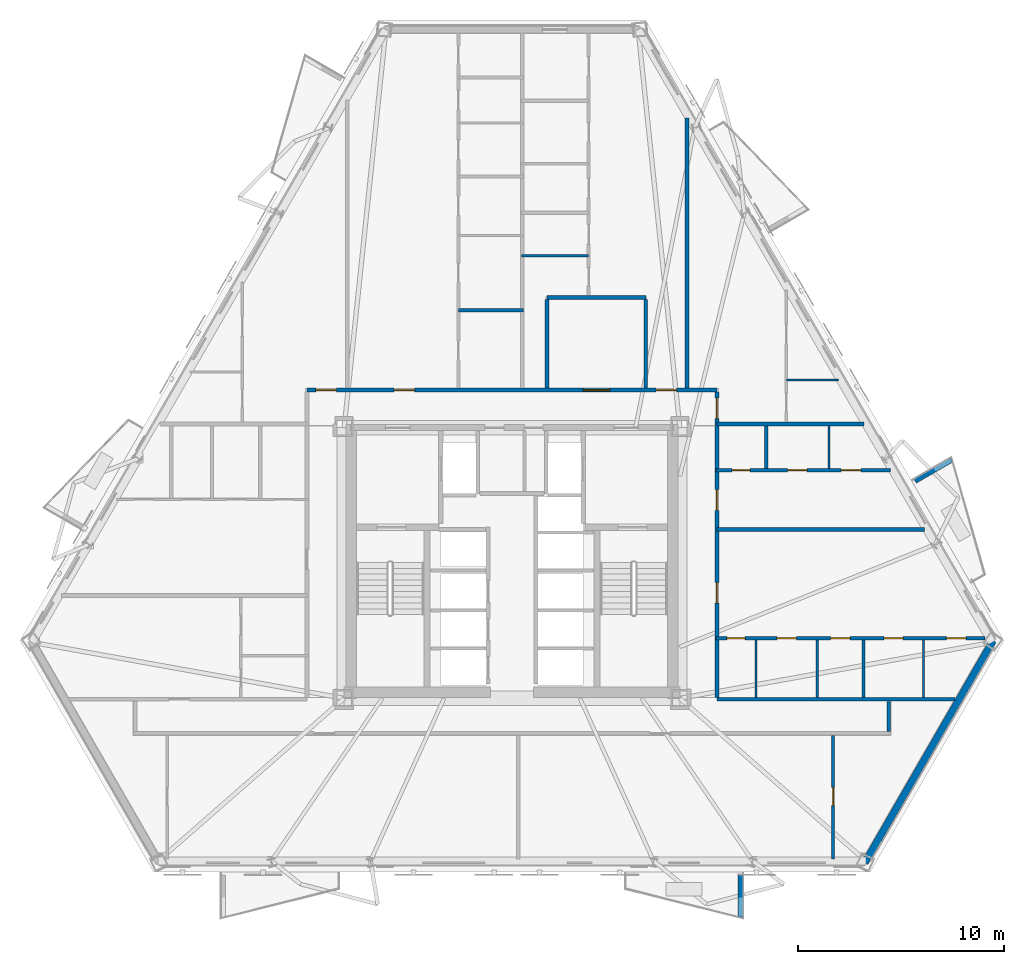
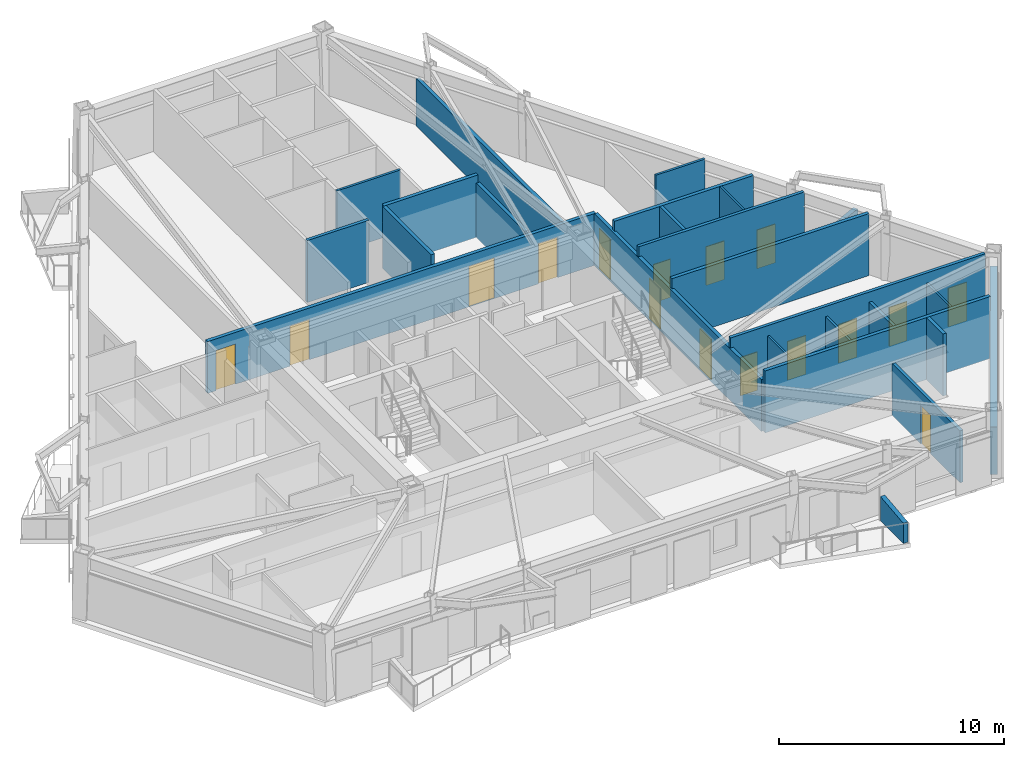
# One storey, part 5 of 11: 25 walls, 16 doors, 16 openings.
"""IFC4 building model written with IfcOpenShell, lengths in metres."""

import ifcopenshell
import ifcopenshell.guid

model = None  # the IFC model being written
_history = None  # IfcOwnerHistory: only IFC2X3 demands one
_inside = {}  # id of a spatial element -> (the spatial element, [elements in it])
_under = {}  # id of a project, library or spatial element -> (it, [spatial elements below it])
_declared = {}  # id of a project -> (the project, [libraries it declares])
_typed = {}  # id of a type object -> (the type object, [elements of that type])
_made_of = {}  # id of a material, layer set ... -> (it, [elements and type objects made of it])


def new_model(schema):
    """Start an empty IFC model of exactly this schema.

    Asked for "IFC4X3", IfcOpenShell would pick the latest addendum, in which some entities
    have other attributes; the version numbers below select the first issue.
    IFC2X3 requires an IfcOwnerHistory on every rooted entity: one is made here for all.
    """
    global model, _history
    if schema == "IFC4X3":
        model = ifcopenshell.file(schema_version=(4, 3, 0, 0))
    else:
        model = ifcopenshell.file(schema=schema)
    _inside.clear()
    _under.clear()
    _declared.clear()
    _typed.clear()
    _made_of.clear()
    _history = None
    if model.schema == "IFC2X3":
        org = make("IfcOrganization", Name="unknown")
        user = make(
            "IfcPersonAndOrganization",
            ThePerson=make("IfcPerson", FamilyName="unknown"),
            TheOrganization=org,
        )
        app = make(
            "IfcApplication",
            ApplicationDeveloper=org,
            Version="unknown",
            ApplicationFullName="unknown",
            ApplicationIdentifier="unknown",
        )
        _history = make(
            "IfcOwnerHistory",
            OwningUser=user,
            OwningApplication=app,
            ChangeAction="ADDED",
            CreationDate=0,
        )
    return model


def make(cls, **values):
    """One entity of the class cls with the attributes given. An attribute that is None is left unset."""
    return model.create_entity(
        cls, **{name: value for name, value in values.items() if value is not None}
    )


def rooted(cls, **values):
    """An entity with a GlobalId (a new one), such as an element, a storey or a relation."""
    return make(cls, GlobalId=ifcopenshell.guid.new(), OwnerHistory=_history, **values)


def si_unit(unit_type, name, prefix=None):
    """IfcSIUnit, for example si_unit("LENGTHUNIT", "METRE", prefix="MILLI")."""
    return make("IfcSIUnit", UnitType=unit_type, Prefix=prefix, Name=name)


def assignment(units):
    """IfcUnitAssignment: the units of a project."""
    return None if units is None else make("IfcUnitAssignment", Units=units)


def point(xyz):
    """IfcCartesianPoint."""
    return None if xyz is None else make("IfcCartesianPoint", Coordinates=xyz)


def direction(xyz):
    """IfcDirection."""
    return None if xyz is None else make("IfcDirection", DirectionRatios=xyz)


def frame(location, z_axis=None, x_axis=None):
    """IfcAxis2Placement3D, a coordinate frame: its origin and axes. An axis left out is left unset."""
    return make(
        "IfcAxis2Placement3D",
        Location=point(location),
        Axis=direction(z_axis),
        RefDirection=direction(x_axis),
    )


def frame_2d(location, x_axis=None):
    """IfcAxis2Placement2D, a coordinate frame in the plane: its origin and x axis."""
    return make(
        "IfcAxis2Placement2D", Location=point(location), RefDirection=direction(x_axis)
    )


def origin():
    """The frame at (0, 0, 0) with its axes left unset."""
    return frame((0.0, 0.0, 0.0))


def place(relative_to, where):
    """IfcLocalPlacement: puts the frame where relative to a parent placement (None: the world)."""
    return make(
        "IfcLocalPlacement", PlacementRelTo=relative_to, RelativePlacement=where
    )


def context(
    kind, dimensions, precision=None, world=None, true_north=None, identifier=None
):
    """IfcGeometricRepresentationContext, for example the 3D "Model" context."""
    return make(
        "IfcGeometricRepresentationContext",
        ContextIdentifier=identifier,
        ContextType=kind,
        CoordinateSpaceDimension=dimensions,
        Precision=precision,
        WorldCoordinateSystem=world,
        TrueNorth=true_north,
    )


def subcontext(parent, identifier, kind, view, scale=None):
    """IfcGeometricRepresentationSubContext, for example "Body" below "Model"."""
    return make(
        "IfcGeometricRepresentationSubContext",
        ContextIdentifier=identifier,
        ContextType=kind,
        ParentContext=parent,
        TargetScale=scale,
        TargetView=view,
    )


def project(units=None, contexts=None):
    """IfcProject with its units and contexts."""
    return rooted(
        "IfcProject",
        Name="project",
        RepresentationContexts=contexts,
        UnitsInContext=assignment(units),
    )


def spatial(cls, under=None, at=None, **own):
    """A site, building, storey or space (cls), placed at a placement, below another one or the project."""
    s = rooted(cls, ObjectPlacement=at, **own)
    if under is not None:
        _under.setdefault(under.id(), (under, []))[1].append(s)
    return s


def polyline(points):
    """IfcPolyline through the points."""
    return make("IfcPolyline", Points=[point(p) for p in points])


def profile(cls, at=None, kind="AREA", **sizes):
    """A parametric profile (cls). Its sizes go by their IFC names, for example OverallWidth=200.0."""
    return make(cls, ProfileType=kind, Position=at, **sizes)


def rectangle(**sizes):
    """IfcRectangleProfileDef."""
    return profile("IfcRectangleProfileDef", **sizes)


def outline(outer, holes=None, kind="AREA"):
    """IfcArbitraryClosedProfileDef: a profile drawn as a closed curve; with holes, ...WithVoids."""
    if holes is None:
        return make("IfcArbitraryClosedProfileDef", ProfileType=kind, OuterCurve=outer)
    return make(
        "IfcArbitraryProfileDefWithVoids",
        ProfileType=kind,
        OuterCurve=outer,
        InnerCurves=holes,
    )


def extrude(swept, where, along, depth):
    """IfcExtrudedAreaSolid: the profile swept, set in the frame where, extruded along a direction by depth."""
    return make(
        "IfcExtrudedAreaSolid",
        SweptArea=swept,
        Position=where,
        ExtrudedDirection=direction(along),
        Depth=depth,
    )


def shape(context_of_items, identifier, shape_type, items):
    """IfcShapeRepresentation: the items that make up one representation, for example the "Body"."""
    return make(
        "IfcShapeRepresentation",
        ContextOfItems=context_of_items,
        RepresentationIdentifier=identifier,
        RepresentationType=shape_type,
        Items=items,
    )


def material(Name=None, Category=None):
    """IfcMaterial."""
    return make("IfcMaterial", Name=Name, Category=Category)


def layer(
    of_material, thickness, ventilated=None, Name=None, Category=None, Priority=None
):
    """IfcMaterialLayer: one layer of a wall or slab, of a material (None: an air gap)."""
    return make(
        "IfcMaterialLayer",
        Material=of_material,
        LayerThickness=thickness,
        IsVentilated=ventilated,
        Name=Name,
        Category=Category,
        Priority=Priority,
    )


def layer_set(layers, Name=None):
    """IfcMaterialLayerSet."""
    return make("IfcMaterialLayerSet", MaterialLayers=layers, LayerSetName=Name)


def made_of(thing, what):
    """Note that an element or type object is made of a material, layer set ...; save() writes the relation."""
    if what is not None:
        _made_of.setdefault(what.id(), (what, []))[1].append(thing)
    return thing


def type_object(cls, material=None, **own):
    """A type object (cls), such as IfcWallType, which elements share."""
    return made_of(rooted(cls, **own), material)


def element(
    cls,
    number,
    at=None,
    inside=None,
    cuts=None,
    type_object=None,
    material=None,
    context=None,
    identifier="Body",
    shape_type=None,
    held_by="IfcProductDefinitionShape",
    body=None,
    shapes=None,
    **own,
):
    """One element of the class cls, such as IfcWall. Its Tag is "e" and its number.

    at: its placement. inside: the storey or other place that contains it. cuts: it is an
    opening in that element (IfcRelVoidsElement). A single representation is given by context,
    identifier, shape_type and body (its items); several are given by shapes. held_by: the class
    of the entity that holds the representations. save() writes the other relations.
    """
    e = rooted(cls, Tag="e%d" % number, ObjectPlacement=at, **own)
    if body is not None:
        shapes = [shape(context, identifier, shape_type, body)]
    if shapes is not None:
        e.Representation = make(held_by, Representations=shapes)
    if inside is not None:
        _inside.setdefault(inside.id(), (inside, []))[1].append(e)
    if cuts is not None:
        rooted(
            "IfcRelVoidsElement", RelatingBuildingElement=cuts, RelatedOpeningElement=e
        )
    if type_object is not None:
        _typed.setdefault(type_object.id(), (type_object, []))[1].append(e)
    return made_of(e, material)


def fill(opening, filler):
    """IfcRelFillsElement: the door or window that sits in an opening."""
    return rooted(
        "IfcRelFillsElement",
        RelatingOpeningElement=opening,
        RelatedBuildingElement=filler,
    )


def aggregate(whole, parts):
    """IfcRelAggregates: a whole, such as a stair, and the parts it consists of."""
    return rooted("IfcRelAggregates", RelatingObject=whole, RelatedObjects=parts)


def save(model, path):
    """Write the relations noted so far, then the file.

    IfcRelAggregates (storeys below a building ...), IfcRelContainedInSpatialStructure (elements
    in a storey), IfcRelDefinesByType, IfcRelAssociatesMaterial and IfcRelDeclares: one each for
    every whole, place, type object, material and project.
    """
    for whole, parts in _under.values():
        aggregate(whole, parts)
    for where, things in _inside.values():
        rooted(
            "IfcRelContainedInSpatialStructure",
            RelatedElements=things,
            RelatingStructure=where,
        )
    for kind, things in _typed.values():
        rooted("IfcRelDefinesByType", RelatedObjects=things, RelatingType=kind)
    for what, things in _made_of.values():
        rooted("IfcRelAssociatesMaterial", RelatedObjects=things, RelatingMaterial=what)
    for by, libraries in _declared.values():
        rooted("IfcRelDeclares", RelatingContext=by, RelatedDefinitions=libraries)
    model.write(path)


model = new_model("IFC4")

# Units and contexts
model_context = context("Model", 3, precision=1e-05, world=origin(), true_north=direction((0.0, 1.0)))
body_context = subcontext(model_context, "Body", "Model", "MODEL_VIEW")
ifc_project = project(units=[si_unit("LENGTHUNIT", "METRE"), si_unit("AREAUNIT", "SQUARE_METRE"), si_unit("VOLUMEUNIT", "CUBIC_METRE"), si_unit("PLANEANGLEUNIT", "RADIAN"), si_unit("MASSUNIT", "GRAM", prefix="KILO")], contexts=[model_context])

# Site, building, storey
site_placement = place(None, origin())
site = spatial("IfcSite", under=ifc_project, at=site_placement, CompositionType="ELEMENT")
building_placement = place(site_placement, origin())
building = spatial("IfcBuilding", under=site, at=building_placement, Name="Oramaril Tower", CompositionType="ELEMENT")
storey_placement = place(building_placement, frame((0.0, 0.0, 89.699951171875)))
storey = spatial("IfcBuildingStorey", under=building, at=storey_placement, Name="L23", CompositionType="ELEMENT", Elevation=89.699951171875)

# Walls
ifc_material_1 = material(Name="Warm Cream Limestone", Category="masonry")
ifc_layer_1 = layer(ifc_material_1, 0.340087890625)
ifc_layer_set_1 = layer_set([ifc_layer_1], Name="WT-EXT34")
wall_type_1 = type_object("IfcWallType", Name="WT-EXT34", PredefinedType="SOLIDWALL", material=ifc_layer_set_1)
wall_1_placement = place(storey_placement, frame((54.63720703125, 3.0205078125, 0.0), z_axis=(0.0, 0.0, 1.0), x_axis=(0.50000434055, 0.866022897752, 0.0)))
element("IfcWall", 1, at=wall_1_placement, inside=storey, type_object=wall_type_1, Name="L23 Tower Limestone Facade Wall 3M", PredefinedType="SOLIDWALL", context=body_context, shape_type="SweptSolid", body=[
    extrude(rectangle(XDim=12.4453125, YDim=0.340087890625, at=frame_2d((6.22265625, 0.0))), origin(), (0.0, 0.0, 1.0), 2.578125),
])
ifc_material_2 = material(Name="Concrete C40/50", Category="concrete")
ifc_layer_2 = layer(ifc_material_2, 0.22998046875)
ifc_layer_set_2 = layer_set([ifc_layer_2], Name="WT-PRP23")
wall_type_2 = type_object("IfcWallType", Name="WT-PRP23", PredefinedType="PARAPET", material=ifc_layer_set_2)
for number, where, z_axis, x_axis, name in (
    (2, (48.597900390625, 2.422607421875, 0.0), (0.0, 0.0, 1.0), (0.0, -1.0, 0.0), "L23 Trapezoidal Balcony Frame Cheek L23-BAL-S2-R"),
    (3, (57.075439453125, 21.548828125, 0.0), (0.0, 0.0, 1.0), (0.866042246008, 0.499970827278, 0.0), "L23 Trapezoidal Balcony Frame Cheek L23-BAL-NE1-R"),
):
    element("IfcWall", number, at=place(storey_placement, frame(where, z_axis=z_axis, x_axis=x_axis)), inside=storey, type_object=wall_type_2, Name=name, PredefinedType="PARAPET", context=body_context, shape_type="SweptSolid", body=[
        extrude(outline(polyline([(0.0, 0.0), (2.0419921875, 0.0), (2.0419921875, 1.10009765625), (0.0, 1.320068359375), (0.0, 0.0)])), frame((0.0, 0.114990234375, 0.0), z_axis=(0.0, -1.0, 0.0), x_axis=(1.0, 0.0, 0.0)), (0.0, 0.0, 1.0), 0.22998046875),
    ])
ifc_material_3 = material(Name="Acoustic Gypsum Board Partition")
ifc_layer_3 = layer(ifc_material_3, 0.10009765625)
ifc_layer_set_3 = layer_set([ifc_layer_3], Name="WT-PT10")
wall_type_3 = type_object("IfcWallType", Name="WT-PT10", PredefinedType="PARTITIONING", material=ifc_layer_set_3)
wall_2_placement = place(storey_placement, frame((49.340087890625, 11.0439453125, 0.0), z_axis=(0.0, 0.0, 1.0), x_axis=(0.0, 1.0, 0.0)))
element("IfcWall", 4, at=wall_2_placement, inside=storey, type_object=wall_type_3, Name="L23 Interior Partition PT-10", PredefinedType="PARTITIONING", context=body_context, shape_type="SweptSolid", body=[
    extrude(rectangle(XDim=2.7919921875, YDim=0.10009765625, at=frame_2d((1.39599609375, 0.0))), origin(), (0.0, 0.0, 1.0), 2.81396484375),
])
wall_3_placement = place(storey_placement, frame((52.889892578125, 22.154052734375, 0.0), z_axis=(0.0, 0.0, 1.0), x_axis=(0.0, 1.0, 0.0)))
element("IfcWall", 5, at=wall_3_placement, inside=storey, type_object=wall_type_3, Name="L23 Interior Partition PT-10", PredefinedType="PARTITIONING", context=body_context, shape_type="SweptSolid", body=[
    extrude(rectangle(XDim=2.072021484375, YDim=0.10009765625, at=frame_2d((1.0361328125, 0.0))), origin(), (0.0, 0.0, 1.0), 3.360107421875),
])
wall_4_placement = place(storey_placement, frame((57.47998046875, 11.0439453125, 0.0), z_axis=(0.0, 0.0, 1.0), x_axis=(0.0, 1.0, 0.0)))
element("IfcWall", 6, at=wall_4_placement, inside=storey, type_object=wall_type_3, Name="L23 Interior Partition PT-10", PredefinedType="PARTITIONING", context=body_context, shape_type="SweptSolid", body=[
    extrude(rectangle(XDim=2.7919921875, YDim=0.10009765625, at=frame_2d((1.39599609375, 0.0))), origin(), (0.0, 0.0, 1.0), 2.81396484375),
])
ifc_material_4 = material(Name="Acoustic Gypsum Board Partition")
ifc_layer_4 = layer(ifc_material_4, 0.1201171875)
ifc_layer_set_4 = layer_set([ifc_layer_4], Name="WT-PT12")
wall_type_4 = type_object("IfcWallType", Name="WT-PT12", PredefinedType="PARTITIONING", material=ifc_layer_set_4)
wall_5_placement = place(storey_placement, frame((50.82275390625, 26.4599609375, 0.0), z_axis=(0.0, 0.0, 1.0), x_axis=(1.0, 0.0, 0.0)))
element("IfcWall", 7, at=wall_5_placement, inside=storey, type_object=wall_type_4, Name="L23 Interior Partition PT-12", PredefinedType="PARTITIONING", context=body_context, shape_type="SweptSolid", body=[
    extrude(rectangle(XDim=2.52587890625, YDim=0.1201171875, at=frame_2d((1.262939453125, 0.0))), origin(), (0.0, 0.0, 1.0), 3.360107421875),
])
wall_6_placement = place(storey_placement, frame((37.949951171875, 32.489990234375, 0.0), z_axis=(0.0, 0.0, 1.0), x_axis=(1.0, 0.0, 0.0)))
element("IfcWall", 8, at=wall_6_placement, inside=storey, type_object=wall_type_4, Name="L23 Interior Partition PT-12", PredefinedType="PARTITIONING", context=body_context, shape_type="SweptSolid", body=[
    extrude(rectangle(XDim=3.27001953125, YDim=0.1201171875, at=frame_2d((1.635009765625, 0.0))), origin(), (0.0, 0.0, 1.0), 3.360107421875),
])
wall_7_placement = place(storey_placement, frame((52.320068359375, 11.0439453125, 0.0), z_axis=(0.0, 0.0, 1.0), x_axis=(0.0, 1.0, 0.0)))
element("IfcWall", 9, at=wall_7_placement, inside=storey, type_object=wall_type_4, Name="L23 Interior Partition PT-12", PredefinedType="PARTITIONING", context=body_context, shape_type="SweptSolid", body=[
    extrude(rectangle(XDim=2.7919921875, YDim=0.1201171875, at=frame_2d((1.39599609375, 0.0))), origin(), (0.0, 0.0, 1.0), 2.81396484375),
])
ifc_material_5 = material(Name="Acoustic Gypsum Board Partition")
ifc_layer_5 = layer(ifc_material_5, 0.139892578125)
ifc_layer_set_5 = layer_set([ifc_layer_5], Name="WT-PT14")
wall_type_5 = type_object("IfcWallType", Name="WT-PT14", PredefinedType="PARTITIONING", material=ifc_layer_set_5)
wall_8_placement = place(storey_placement, frame((54.570068359375, 11.0439453125, 0.0), z_axis=(0.0, 0.0, 1.0), x_axis=(0.0, 1.0, 0.0)))
element("IfcWall", 10, at=wall_8_placement, inside=storey, type_object=wall_type_5, Name="L23 Interior Partition PT-14", PredefinedType="PARTITIONING", context=body_context, shape_type="SweptSolid", body=[
    extrude(rectangle(XDim=2.7919921875, YDim=0.139892578125, at=frame_2d((1.39599609375, 0.0))), origin(), (0.0, 0.0, 1.0), 2.81396484375),
])

# Wall, openings, doors
ifc_material_6 = material(Name="Acoustic Gypsum Board Partition")
ifc_layer_6 = layer(ifc_material_6, 0.159912109375)
ifc_layer_set_6 = layer_set([ifc_layer_6], Name="WT-PT16")
wall_type_6 = type_object("IfcWallType", Name="WT-PT16", PredefinedType="PARTITIONING", material=ifc_layer_set_6)
wall_9_placement = place(storey_placement, frame((47.39990234375, 13.919921875, 0.0), z_axis=(0.0, 0.0, 1.0), x_axis=(1.0, 0.0, 0.0)))
wall_9 = element("IfcWall", 11, at=wall_9_placement, inside=storey, type_object=wall_type_6, Name="L23 Interior Partition PT-16", PredefinedType="PARTITIONING", context=body_context, shape_type="SweptSolid", body=[
    extrude(rectangle(XDim=13.06640625, YDim=0.159912109375, at=frame_2d((6.533203125, 0.0))), origin(), (0.0, 0.0, 1.0), 3.360107421875),
])
opening_1_placement = place(wall_9_placement, frame((0.5400390625, 0.0, 0.0)))
opening_1 = element("IfcOpeningElement", 12, at=opening_1_placement, cuts=wall_9, Name="Opening D-L23-04", PredefinedType="OPENING", context=body_context, shape_type="SweptSolid", body=[
    extrude(rectangle(XDim=0.8798828125, YDim=2.080078125, at=frame_2d((0.43994140625, 1.0400390625))), frame((0.0, 0.080078125, 0.0), z_axis=(0.0, -1.0, 0.0), x_axis=(1.0, 0.0, 0.0)), (0.0, 0.0, 1.0), 0.159912109375),
])
opening_2_placement = place(wall_9_placement, frame((2.95703125, 0.0, 0.0)))
opening_2 = element("IfcOpeningElement", 13, at=opening_2_placement, cuts=wall_9, Name="Opening D-L23-05", PredefinedType="OPENING", context=body_context, shape_type="SweptSolid", body=[
    extrude(rectangle(XDim=0.949951171875, YDim=2.10009765625, at=frame_2d((0.47509765625, 1.050048828125))), frame((0.0, 0.080078125, 0.0), z_axis=(0.0, -1.0, 0.0), x_axis=(1.0, 0.0, 0.0)), (0.0, 0.0, 1.0), 0.159912109375),
])
opening_3_placement = place(wall_9_placement, frame((5.572509765625, 0.0, 0.0)))
opening_3 = element("IfcOpeningElement", 14, at=opening_3_placement, cuts=wall_9, Name="Opening D-L23-06", PredefinedType="OPENING", context=body_context, shape_type="SweptSolid", body=[
    extrude(rectangle(XDim=0.949951171875, YDim=2.10009765625, at=frame_2d((0.47509765625, 1.050048828125))), frame((0.0, 0.080078125, 0.0), z_axis=(0.0, -1.0, 0.0), x_axis=(1.0, 0.0, 0.0)), (0.0, 0.0, 1.0), 0.159912109375),
])
opening_4_placement = place(wall_9_placement, frame((8.16748046875, 0.0, 0.0)))
opening_4 = element("IfcOpeningElement", 15, at=opening_4_placement, cuts=wall_9, Name="Opening D-L23-07", PredefinedType="OPENING", context=body_context, shape_type="SweptSolid", body=[
    extrude(rectangle(XDim=0.919921875, YDim=2.1201171875, at=frame_2d((0.4599609375, 1.06005859375))), frame((0.0, 0.080078125, 0.0), z_axis=(0.0, -1.0, 0.0), x_axis=(1.0, 0.0, 0.0)), (0.0, 0.0, 1.0), 0.159912109375),
])
opening_5_placement = place(wall_9_placement, frame((11.190185546875, 0.0, 0.0)))
opening_5 = element("IfcOpeningElement", 16, at=opening_5_placement, cuts=wall_9, Name="Opening D-L23-08", PredefinedType="OPENING", context=body_context, shape_type="SweptSolid", body=[
    extrude(rectangle(XDim=0.949951171875, YDim=2.10009765625, at=frame_2d((0.47509765625, 1.050048828125))), frame((0.0, 0.080078125, 0.0), z_axis=(0.0, -1.0, 0.0), x_axis=(1.0, 0.0, 0.0)), (0.0, 0.0, 1.0), 0.159912109375),
])
ifc_material_7 = material(Name="FSC Brazilian Freijo Hardwood", Category="wood")
door_type_1 = type_object("IfcDoorType", Name="DT-BATH", OperationType="NOTDEFINED", PredefinedType="DOOR", material=ifc_material_7)
door_1_placement = place(opening_1_placement, origin())
door_1 = element("IfcDoor", 17, at=door_1_placement, inside=storey, type_object=door_type_1, Name="L23 Flat L23-U5 Bathroom Door D-L23-04", OperationType="SINGLE_SWING_RIGHT", OverallHeight=2.080078125, OverallWidth=0.8798828125, PredefinedType="DOOR", context=body_context, shape_type="SweptSolid", body=[
    extrude(rectangle(XDim=0.8798828125, YDim=2.080078125, at=frame_2d((0.43994140625, 1.0400390625))), frame((0.0, 0.02490234375, 0.0), z_axis=(0.0, -1.0, 0.0), x_axis=(1.0, 0.0, 0.0)), (0.0, 0.0, 1.0), 0.050048828125),
])
fill(opening_1, door_1)
ifc_material_8 = material(Name="FSC Brazilian Freijo Hardwood", Category="wood")
door_type_2 = type_object("IfcDoorType", Name="DT-BED", OperationType="NOTDEFINED", PredefinedType="DOOR", material=ifc_material_8)
door_2_placement = place(opening_4_placement, origin())
door_2 = element("IfcDoor", 18, at=door_2_placement, inside=storey, type_object=door_type_2, Name="L23 Flat L23-U5 Bedroom 2 Door D-L23-07", OperationType="SINGLE_SWING_LEFT", OverallHeight=2.1201171875, OverallWidth=0.919921875, PredefinedType="DOOR", context=body_context, shape_type="SweptSolid", body=[
    extrude(rectangle(XDim=0.919921875, YDim=2.1201171875, at=frame_2d((0.4599609375, 1.06005859375))), frame((0.0, 0.02490234375, 0.0), z_axis=(0.0, -1.0, 0.0), x_axis=(1.0, 0.0, 0.0)), (0.0, 0.0, 1.0), 0.050048828125),
])
fill(opening_4, door_2)
ifc_material_9 = material(Name="FSC Brazilian Freijo Hardwood", Category="wood")
door_type_3 = type_object("IfcDoorType", Name="DT-STDY", OperationType="NOTDEFINED", PredefinedType="DOOR", material=ifc_material_9)
door_3_placement = place(opening_2_placement, origin())
door_3 = element("IfcDoor", 19, at=door_3_placement, inside=storey, type_object=door_type_3, Name="L23 Flat L23-U5 Kitchen Door D-L23-05", OperationType="SINGLE_SWING_LEFT", OverallHeight=2.10009765625, OverallWidth=0.949951171875, PredefinedType="DOOR", context=body_context, shape_type="SweptSolid", body=[
    extrude(rectangle(XDim=0.949951171875, YDim=2.10009765625, at=frame_2d((0.47509765625, 1.050048828125))), frame((0.0, 0.02490234375, 0.0), z_axis=(0.0, -1.0, 0.0), x_axis=(1.0, 0.0, 0.0)), (0.0, 0.0, 1.0), 0.050048828125),
])
fill(opening_2, door_3)
door_4_placement = place(opening_3_placement, origin())
door_4 = element("IfcDoor", 20, at=door_4_placement, inside=storey, type_object=door_type_3, Name="L23 Flat L23-U5 Reading Study Door D-L23-06", OperationType="SINGLE_SWING_RIGHT", OverallHeight=2.10009765625, OverallWidth=0.949951171875, PredefinedType="DOOR", context=body_context, shape_type="SweptSolid", body=[
    extrude(rectangle(XDim=0.949951171875, YDim=2.10009765625, at=frame_2d((0.47509765625, 1.050048828125))), frame((0.0, 0.02490234375, 0.0), z_axis=(0.0, -1.0, 0.0), x_axis=(1.0, 0.0, 0.0)), (0.0, 0.0, 1.0), 0.050048828125),
])
fill(opening_3, door_4)
door_5_placement = place(opening_5_placement, origin())
door_5 = element("IfcDoor", 21, at=door_5_placement, inside=storey, type_object=door_type_3, Name="L23 Flat L23-U5 Breakfast Dining Room Door D-L23-08", OperationType="SINGLE_SWING_RIGHT", OverallHeight=2.10009765625, OverallWidth=0.949951171875, PredefinedType="DOOR", context=body_context, shape_type="SweptSolid", body=[
    extrude(rectangle(XDim=0.949951171875, YDim=2.10009765625, at=frame_2d((0.47509765625, 1.050048828125))), frame((0.0, 0.02490234375, 0.0), z_axis=(0.0, -1.0, 0.0), x_axis=(1.0, 0.0, 0.0)), (0.0, 0.0, 1.0), 0.050048828125),
])
fill(opening_5, door_5)

wall_10_placement = place(storey_placement, frame((47.39990234375, 22.070068359375, 0.0), z_axis=(0.0, 0.0, 1.0), x_axis=(1.0, 0.0, 0.0)))
wall_10 = element("IfcWall", 22, at=wall_10_placement, inside=storey, type_object=wall_type_6, Name="L23 Interior Partition PT-16", PredefinedType="PARTITIONING", context=body_context, shape_type="SweptSolid", body=[
    extrude(rectangle(XDim=8.4833984375, YDim=0.159912109375, at=frame_2d((4.24169921875, 0.0))), origin(), (0.0, 0.0, 1.0), 3.360107421875),
])
opening_6_placement = place(wall_10_placement, frame((0.78857421875, 0.0, 0.0)))
opening_6 = element("IfcOpeningElement", 23, at=opening_6_placement, cuts=wall_10, Name="Opening D-L23-13", PredefinedType="OPENING", context=body_context, shape_type="SweptSolid", body=[
    extrude(rectangle(XDim=0.8798828125, YDim=2.080078125, at=frame_2d((0.43994140625, 1.0400390625))), frame((0.0, 0.080078125, 0.0), z_axis=(0.0, -1.0, 0.0), x_axis=(1.0, 0.0, 0.0)), (0.0, 0.0, 1.0), 0.159912109375),
])
opening_7_placement = place(wall_10_placement, frame((3.487060546875, 0.0, 0.0)))
opening_7 = element("IfcOpeningElement", 24, at=opening_7_placement, cuts=wall_10, Name="Opening D-L23-14", PredefinedType="OPENING", context=body_context, shape_type="SweptSolid", body=[
    extrude(rectangle(XDim=0.949951171875, YDim=2.10009765625, at=frame_2d((0.47509765625, 1.050048828125))), frame((0.0, 0.080078125, 0.0), z_axis=(0.0, -1.0, 0.0), x_axis=(1.0, 0.0, 0.0)), (0.0, 0.0, 1.0), 0.159912109375),
])
opening_8_placement = place(wall_10_placement, frame((6.0859375, 0.0, 0.0)))
opening_8 = element("IfcOpeningElement", 25, at=opening_8_placement, cuts=wall_10, Name="Opening D-L23-15", PredefinedType="OPENING", context=body_context, shape_type="SweptSolid", body=[
    extrude(rectangle(XDim=0.949951171875, YDim=2.10009765625, at=frame_2d((0.47509765625, 1.050048828125))), frame((0.0, 0.080078125, 0.0), z_axis=(0.0, -1.0, 0.0), x_axis=(1.0, 0.0, 0.0)), (0.0, 0.0, 1.0), 0.159912109375),
])
door_6_placement = place(opening_6_placement, origin())
door_6 = element("IfcDoor", 26, at=door_6_placement, inside=storey, type_object=door_type_1, Name="L23 Flat L23-U6 Bathroom Door D-L23-13", OperationType="SINGLE_SWING_LEFT", OverallHeight=2.080078125, OverallWidth=0.8798828125, PredefinedType="DOOR", context=body_context, shape_type="SweptSolid", body=[
    extrude(rectangle(XDim=0.8798828125, YDim=2.080078125, at=frame_2d((0.43994140625, 1.0400390625))), frame((0.0, 0.02490234375, 0.0), z_axis=(0.0, -1.0, 0.0), x_axis=(1.0, 0.0, 0.0)), (0.0, 0.0, 1.0), 0.050048828125),
])
fill(opening_6, door_6)
door_7_placement = place(opening_7_placement, origin())
door_7 = element("IfcDoor", 27, at=door_7_placement, inside=storey, type_object=door_type_3, Name="L23 Flat L23-U6 Kitchen Door D-L23-14", OperationType="SINGLE_SWING_RIGHT", OverallHeight=2.10009765625, OverallWidth=0.949951171875, PredefinedType="DOOR", context=body_context, shape_type="SweptSolid", body=[
    extrude(rectangle(XDim=0.949951171875, YDim=2.10009765625, at=frame_2d((0.47509765625, 1.050048828125))), frame((0.0, 0.02490234375, 0.0), z_axis=(0.0, -1.0, 0.0), x_axis=(1.0, 0.0, 0.0)), (0.0, 0.0, 1.0), 0.050048828125),
])
fill(opening_7, door_7)
door_8_placement = place(opening_8_placement, origin())
door_8 = element("IfcDoor", 28, at=door_8_placement, inside=storey, type_object=door_type_3, Name="L23 Flat L23-U6 Breakfast Dining Room Door D-L23-15", OperationType="SINGLE_SWING_LEFT", OverallHeight=2.10009765625, OverallWidth=0.949951171875, PredefinedType="DOOR", context=body_context, shape_type="SweptSolid", body=[
    extrude(rectangle(XDim=0.949951171875, YDim=2.10009765625, at=frame_2d((0.47509765625, 1.050048828125))), frame((0.0, 0.02490234375, 0.0), z_axis=(0.0, -1.0, 0.0), x_axis=(1.0, 0.0, 0.0)), (0.0, 0.0, 1.0), 0.050048828125),
])
fill(opening_8, door_8)

# Walls
wall_11_placement = place(storey_placement, frame((34.89990234375, 29.840087890625, 0.0), z_axis=(0.0, 0.0, 1.0), x_axis=(1.0, 0.0, 0.0)))
element("IfcWall", 29, at=wall_11_placement, inside=storey, type_object=wall_type_6, Name="L23 Interior Partition PT-16", PredefinedType="PARTITIONING", context=body_context, shape_type="SweptSolid", body=[
    extrude(rectangle(XDim=3.150146484375, YDim=0.159912109375, at=frame_2d((1.5751953125, 0.0))), origin(), (0.0, 0.0, 1.0), 3.360107421875),
])
wall_12_placement = place(storey_placement, frame((49.840087890625, 22.154052734375, 0.0), z_axis=(0.0, 0.0, 1.0), x_axis=(0.0, 1.0, 0.0)))
element("IfcWall", 30, at=wall_12_placement, inside=storey, type_object=wall_type_6, Name="L23 Interior Partition PT-16", PredefinedType="PARTITIONING", context=body_context, shape_type="SweptSolid", body=[
    extrude(rectangle(XDim=2.072021484375, YDim=0.159912109375, at=frame_2d((1.0361328125, 0.0))), origin(), (0.0, 0.0, 1.0), 3.360107421875),
])

# Wall, opening, door
wall_13_placement = place(storey_placement, frame((53.090087890625, 3.194580078125, 0.0), z_axis=(0.0, 0.0, 1.0), x_axis=(0.0, 1.0, 0.0)))
wall_13 = element("IfcWall", 31, at=wall_13_placement, inside=storey, type_object=wall_type_6, Name="L23 Interior Partition PT-16", PredefinedType="PARTITIONING", context=body_context, shape_type="SweptSolid", body=[
    extrude(rectangle(XDim=6.011474609375, YDim=0.159912109375, at=frame_2d((3.005859375, 0.0))), origin(), (0.0, 0.0, 1.0), 2.81396484375),
])
opening_9_placement = place(wall_13_placement, frame((2.6005859375, 0.0, 0.0)))
opening_9 = element("IfcOpeningElement", 32, at=opening_9_placement, cuts=wall_13, Name="Opening D-L23-42", PredefinedType="OPENING", context=body_context, shape_type="SweptSolid", body=[
    extrude(rectangle(XDim=0.8798828125, YDim=2.080078125, at=frame_2d((0.43994140625, 1.0400390625))), frame((0.0, 0.080078125, 0.0), z_axis=(0.0, -1.0, 0.0), x_axis=(1.0, 0.0, 0.0)), (0.0, 0.0, 1.0), 0.159912109375),
])
door_9_placement = place(opening_9_placement, origin())
door_9 = element("IfcDoor", 33, at=door_9_placement, inside=storey, type_object=door_type_1, Name="L23 Flat L23-U2 Bathroom Door D-L23-42", OperationType="SINGLE_SWING_RIGHT", OverallHeight=2.080078125, OverallWidth=0.8798828125, PredefinedType="DOOR", context=body_context, shape_type="SweptSolid", body=[
    extrude(rectangle(XDim=0.8798828125, YDim=2.080078125, at=frame_2d((0.43994140625, 1.0400390625))), frame((0.0, 0.02490234375, 0.0), z_axis=(0.0, -1.0, 0.0), x_axis=(1.0, 0.0, 0.0)), (0.0, 0.0, 1.0), 0.050048828125),
])
fill(opening_9, door_9)

# Walls
ifc_material_10 = material(Name="Autoclaved Cellular Concrete Block", Category="concrete")
ifc_layer_7 = layer(ifc_material_10, 0.179931640625)
ifc_layer_set_7 = layer_set([ifc_layer_7], Name="WT-PT18")
wall_type_7 = type_object("IfcWallType", Name="WT-PT18", PredefinedType="PARTITIONING", material=ifc_layer_set_7)
wall_14_placement = place(storey_placement, frame((47.449951171875, 10.949951171875, 0.0), z_axis=(0.0, 0.0, 1.0), x_axis=(1.0, 0.0, 0.0)))
element("IfcWall", 34, at=wall_14_placement, inside=storey, type_object=wall_type_7, Name="L23 Interior Partition PT-18", PredefinedType="PARTITIONING", context=body_context, shape_type="SweptSolid", body=[
    extrude(rectangle(XDim=11.564453125, YDim=0.179931640625, at=frame_2d((5.7822265625, 0.0))), origin(), (0.0, 0.0, 1.0), 3.360107421875),
])
wall_15_placement = place(storey_placement, frame((47.449951171875, 19.199951171875, 0.0), z_axis=(0.0, 0.0, 1.0), x_axis=(1.0, 0.0, 0.0)))
element("IfcWall", 35, at=wall_15_placement, inside=storey, type_object=wall_type_7, Name="L23 Interior Partition PT-18", PredefinedType="PARTITIONING", context=body_context, shape_type="SweptSolid", body=[
    extrude(rectangle(XDim=10.09033203125, YDim=0.179931640625, at=frame_2d((5.045166015625, 0.0))), origin(), (0.0, 0.0, 1.0), 3.360107421875),
])
wall_16_placement = place(storey_placement, frame((47.449951171875, 24.320068359375, 0.0), z_axis=(0.0, 0.0, 1.0), x_axis=(1.0, 0.0, 0.0)))
element("IfcWall", 36, at=wall_16_placement, inside=storey, type_object=wall_type_7, Name="L23 Interior Partition PT-18", PredefinedType="PARTITIONING", context=body_context, shape_type="SweptSolid", body=[
    extrude(rectangle(XDim=7.13427734375, YDim=0.179931640625, at=frame_2d((3.567138671875, 0.0))), origin(), (0.0, 0.0, 1.0), 3.360107421875),
])

# Wall, openings, doors
wall_17_placement = place(storey_placement, frame((27.550048828125, 25.969970703125, 0.0), z_axis=(0.0, 0.0, 1.0), x_axis=(1.0, 0.0, 0.0)))
wall_17 = element("IfcWall", 37, at=wall_17_placement, inside=storey, type_object=wall_type_7, Name="L23 Interior Partition PT-18", PredefinedType="PARTITIONING", context=body_context, shape_type="SweptSolid", body=[
    extrude(rectangle(XDim=19.89990234375, YDim=0.179931640625, at=frame_2d((9.949951171875, 0.0))), origin(), (0.0, 0.0, 1.0), 2.81396484375),
])
opening_10_placement = place(wall_17_placement, frame((0.4248046875, 0.0, 0.0)))
opening_10 = element("IfcOpeningElement", 38, at=opening_10_placement, cuts=wall_17, Name="Opening D-L23-16", PredefinedType="OPENING", context=body_context, shape_type="SweptSolid", body=[
    extrude(rectangle(XDim=1.0, YDim=2.179931640625, at=frame_2d((0.5, 1.08984375))), frame((0.0, 0.08984375, 0.0), z_axis=(0.0, -1.0, 0.0), x_axis=(1.0, 0.0, 0.0)), (0.0, 0.0, 1.0), 0.179931640625),
])
opening_11_placement = place(wall_17_placement, frame((4.222412109375, 0.0, 0.0)))
opening_11 = element("IfcOpeningElement", 39, at=opening_11_placement, cuts=wall_17, Name="Opening D-L23-17", PredefinedType="OPENING", context=body_context, shape_type="SweptSolid", body=[
    extrude(rectangle(XDim=1.0, YDim=2.179931640625, at=frame_2d((0.5, 1.08984375))), frame((0.0, 0.08984375, 0.0), z_axis=(0.0, -1.0, 0.0), x_axis=(1.0, 0.0, 0.0)), (0.0, 0.0, 1.0), 0.179931640625),
])
opening_12_placement = place(wall_17_placement, frame((13.39990234375, 0.0, 0.0)))
opening_12 = element("IfcOpeningElement", 40, at=opening_12_placement, cuts=wall_17, Name="Opening D-L23-18", PredefinedType="OPENING", context=body_context, shape_type="SweptSolid", body=[
    extrude(rectangle(XDim=1.300048828125, YDim=2.199951171875, at=frame_2d((0.64990234375, 1.10009765625))), frame((0.0, 0.08984375, 0.0), z_axis=(0.0, -1.0, 0.0), x_axis=(1.0, 0.0, 0.0)), (0.0, 0.0, 1.0), 0.179931640625),
])
opening_13_placement = place(wall_17_placement, frame((16.949951171875, 0.0, 0.0)))
opening_13 = element("IfcOpeningElement", 41, at=opening_13_placement, cuts=wall_17, Name="Opening D-L23-19", PredefinedType="OPENING", context=body_context, shape_type="SweptSolid", body=[
    extrude(rectangle(XDim=1.0, YDim=2.179931640625, at=frame_2d((0.5, 1.08984375))), frame((0.0, 0.08984375, 0.0), z_axis=(0.0, -1.0, 0.0), x_axis=(1.0, 0.0, 0.0)), (0.0, 0.0, 1.0), 0.179931640625),
])
ifc_material_11 = material(Name="FSC Brazilian Freijo Hardwood", Category="wood")
door_type_4 = type_object("IfcDoorType", Name="DT-APT", OperationType="NOTDEFINED", PredefinedType="DOOR", material=ifc_material_11)
door_10_placement = place(opening_10_placement, origin())
door_10 = element("IfcDoor", 42, at=door_10_placement, inside=storey, type_object=door_type_4, Name="L23 Flat L23-U7 Studio Apartment Door D-L23-16", OperationType="SINGLE_SWING_RIGHT", OverallHeight=2.179931640625, OverallWidth=1.0, PredefinedType="DOOR", context=body_context, shape_type="SweptSolid", body=[
    extrude(rectangle(XDim=1.0, YDim=2.179931640625, at=frame_2d((0.5, 1.08984375))), frame((0.0, 0.02490234375, 0.0), z_axis=(0.0, -1.0, 0.0), x_axis=(1.0, 0.0, 0.0)), (0.0, 0.0, 1.0), 0.050048828125),
])
fill(opening_10, door_10)
door_11_placement = place(opening_11_placement, origin())
door_11 = element("IfcDoor", 43, at=door_11_placement, inside=storey, type_object=door_type_4, Name="L23 Flat L23-U8 Penthouse 2-Bedroom Living and Dining Room Door D-L23-17", OperationType="SINGLE_SWING_LEFT", OverallHeight=2.179931640625, OverallWidth=1.0, PredefinedType="DOOR", context=body_context, shape_type="SweptSolid", body=[
    extrude(rectangle(XDim=1.0, YDim=2.179931640625, at=frame_2d((0.5, 1.08984375))), frame((0.0, 0.02490234375, 0.0), z_axis=(0.0, -1.0, 0.0), x_axis=(1.0, 0.0, 0.0)), (0.0, 0.0, 1.0), 0.050048828125),
])
fill(opening_11, door_11)
door_12_placement = place(opening_13_placement, origin())
door_12 = element("IfcDoor", 44, at=door_12_placement, inside=storey, type_object=door_type_4, Name="L23 Flat L23-U9 Penthouse 2-Bedroom Living and Dining Room Door D-L23-19", OperationType="SINGLE_SWING_LEFT", OverallHeight=2.179931640625, OverallWidth=1.0, PredefinedType="DOOR", context=body_context, shape_type="SweptSolid", body=[
    extrude(rectangle(XDim=1.0, YDim=2.179931640625, at=frame_2d((0.5, 1.08984375))), frame((0.0, 0.02490234375, 0.0), z_axis=(0.0, -1.0, 0.0), x_axis=(1.0, 0.0, 0.0)), (0.0, 0.0, 1.0), 0.050048828125),
])
fill(opening_13, door_12)
ifc_material_12 = material(Name="FSC Brazilian Freijo Hardwood", Category="wood")
door_type_5 = type_object("IfcDoorType", Name="DT-COM", OperationType="NOTDEFINED", PredefinedType="DOOR", material=ifc_material_12)
door_13_placement = place(opening_12_placement, origin())
door_13 = element("IfcDoor", 45, at=door_13_placement, inside=storey, type_object=door_type_5, Name="L23 L23 Residents Floor Meeting Suite Door D-L23-18", OperationType="SINGLE_SWING_RIGHT", OverallHeight=2.199951171875, OverallWidth=1.300048828125, PredefinedType="DOOR", context=body_context, shape_type="SweptSolid", body=[
    extrude(rectangle(XDim=1.300048828125, YDim=2.199951171875, at=frame_2d((0.64990234375, 1.10009765625))), frame((0.0, 0.02490234375, 0.0), z_axis=(0.0, -1.0, 0.0), x_axis=(1.0, 0.0, 0.0)), (0.0, 0.0, 1.0), 0.050048828125),
])
fill(opening_12, door_13)

# Walls
wall_18_placement = place(storey_placement, frame((39.199951171875, 30.469970703125, 0.0), z_axis=(0.0, 0.0, 1.0), x_axis=(1.0, 0.0, 0.0)))
element("IfcWall", 46, at=wall_18_placement, inside=storey, type_object=wall_type_7, Name="L23 Interior Partition PT-18", PredefinedType="PARTITIONING", context=body_context, shape_type="SweptSolid", body=[
    extrude(rectangle(XDim=4.800048828125, YDim=0.179931640625, at=frame_2d((2.39990234375, 0.0))), origin(), (0.0, 0.0, 1.0), 3.360107421875),
])
wall_19_placement = place(storey_placement, frame((39.199951171875, 26.06396484375, 0.0), z_axis=(0.0, 0.0, 1.0), x_axis=(0.0, 1.0, 0.0)))
element("IfcWall", 47, at=wall_19_placement, inside=storey, type_object=wall_type_7, Name="L23 Interior Partition PT-18", PredefinedType="PARTITIONING", context=body_context, shape_type="SweptSolid", body=[
    extrude(rectangle(XDim=4.31201171875, YDim=0.179931640625, at=frame_2d((2.156005859375, 0.0))), origin(), (0.0, 0.0, 1.0), 3.360107421875),
])
wall_20_placement = place(storey_placement, frame((44.0, 26.06396484375, 0.0), z_axis=(0.0, 0.0, 1.0), x_axis=(0.0, 1.0, 0.0)))
element("IfcWall", 48, at=wall_20_placement, inside=storey, type_object=wall_type_7, Name="L23 Interior Partition PT-18", PredefinedType="PARTITIONING", context=body_context, shape_type="SweptSolid", body=[
    extrude(rectangle(XDim=4.31201171875, YDim=0.179931640625, at=frame_2d((2.156005859375, 0.0))), origin(), (0.0, 0.0, 1.0), 2.946044921875),
])
wall_21_placement = place(storey_placement, frame((46.0, 26.06396484375, 0.0), z_axis=(0.0, 0.0, 1.0), x_axis=(0.0, 1.0, 0.0)))
element("IfcWall", 49, at=wall_21_placement, inside=storey, type_object=wall_type_7, Name="L23 Interior Partition PT-18", PredefinedType="PARTITIONING", context=body_context, shape_type="SweptSolid", body=[
    extrude(rectangle(XDim=13.124267578125, YDim=0.179931640625, at=frame_2d((6.56201171875, 0.0))), origin(), (0.0, 0.0, 1.0), 2.578125),
])

# Wall, openings, doors
wall_22_placement = place(storey_placement, frame((47.449951171875, 11.0439453125, 0.0), z_axis=(0.0, 0.0, 1.0), x_axis=(0.0, 1.0, 0.0)))
wall_22 = element("IfcWall", 50, at=wall_22_placement, inside=storey, type_object=wall_type_7, Name="L23 Interior Partition PT-18", PredefinedType="PARTITIONING", context=body_context, shape_type="SweptSolid", body=[
    extrude(rectangle(XDim=14.83203125, YDim=0.179931640625, at=frame_2d((7.416015625, 0.0))), origin(), (0.0, 0.0, 1.0), 2.81396484375),
])
opening_14_placement = place(wall_22_placement, frame((4.578369140625, 0.0, 0.0)))
opening_14 = element("IfcOpeningElement", 51, at=opening_14_placement, cuts=wall_22, Name="Opening D-L23-37", PredefinedType="OPENING", context=body_context, shape_type="SweptSolid", body=[
    extrude(rectangle(XDim=1.0, YDim=2.179931640625, at=frame_2d((0.5, 1.08984375))), frame((0.0, 0.08984375, 0.0), z_axis=(0.0, -1.0, 0.0), x_axis=(1.0, 0.0, 0.0)), (0.0, 0.0, 1.0), 0.179931640625),
])
opening_15_placement = place(wall_22_placement, frame((9.089599609375, 0.0, 0.0)))
opening_15 = element("IfcOpeningElement", 52, at=opening_15_placement, cuts=wall_22, Name="Opening D-L23-38", PredefinedType="OPENING", context=body_context, shape_type="SweptSolid", body=[
    extrude(rectangle(XDim=1.0, YDim=2.179931640625, at=frame_2d((0.5, 1.08984375))), frame((0.0, 0.08984375, 0.0), z_axis=(0.0, -1.0, 0.0), x_axis=(1.0, 0.0, 0.0)), (0.0, 0.0, 1.0), 0.179931640625),
])
opening_16_placement = place(wall_22_placement, frame((13.539306640625, 0.0, 0.0)))
opening_16 = element("IfcOpeningElement", 53, at=opening_16_placement, cuts=wall_22, Name="Opening D-L23-39", PredefinedType="OPENING", context=body_context, shape_type="SweptSolid", body=[
    extrude(rectangle(XDim=1.0, YDim=2.179931640625, at=frame_2d((0.5, 1.08984375))), frame((0.0, 0.08984375, 0.0), z_axis=(0.0, -1.0, 0.0), x_axis=(1.0, 0.0, 0.0)), (0.0, 0.0, 1.0), 0.179931640625),
])
door_14_placement = place(opening_14_placement, origin())
door_14 = element("IfcDoor", 54, at=door_14_placement, inside=storey, type_object=door_type_4, Name="L23 Flat L23-U5 Penthouse Living and Dining Room Door D-L23-37", OperationType="SINGLE_SWING_LEFT", OverallHeight=2.179931640625, OverallWidth=1.0, PredefinedType="DOOR", context=body_context, shape_type="SweptSolid", body=[
    extrude(rectangle(XDim=1.0, YDim=2.179931640625, at=frame_2d((0.5, 1.08984375))), frame((0.0, 0.02490234375, 0.0), z_axis=(0.0, -1.0, 0.0), x_axis=(1.0, 0.0, 0.0)), (0.0, 0.0, 1.0), 0.050048828125),
])
fill(opening_14, door_14)
door_15_placement = place(opening_15_placement, origin())
door_15 = element("IfcDoor", 55, at=door_15_placement, inside=storey, type_object=door_type_4, Name="L23 Flat L23-U6 Studio Apartment Door D-L23-38", OperationType="SINGLE_SWING_RIGHT", OverallHeight=2.179931640625, OverallWidth=1.0, PredefinedType="DOOR", context=body_context, shape_type="SweptSolid", body=[
    extrude(rectangle(XDim=1.0, YDim=2.179931640625, at=frame_2d((0.5, 1.08984375))), frame((0.0, 0.02490234375, 0.0), z_axis=(0.0, -1.0, 0.0), x_axis=(1.0, 0.0, 0.0)), (0.0, 0.0, 1.0), 0.050048828125),
])
fill(opening_15, door_15)
door_16_placement = place(opening_16_placement, origin())
door_16 = element("IfcDoor", 56, at=door_16_placement, inside=storey, type_object=door_type_4, Name="L23 Flat L23-U10 Studio Apartment Door D-L23-39", OperationType="SINGLE_SWING_LEFT", OverallHeight=2.179931640625, OverallWidth=1.0, PredefinedType="DOOR", context=body_context, shape_type="SweptSolid", body=[
    extrude(rectangle(XDim=1.0, YDim=2.179931640625, at=frame_2d((0.5, 1.08984375))), frame((0.0, 0.02490234375, 0.0), z_axis=(0.0, -1.0, 0.0), x_axis=(1.0, 0.0, 0.0)), (0.0, 0.0, 1.0), 0.050048828125),
])
fill(opening_16, door_16)

# Wall
wall_23_placement = place(storey_placement, frame((55.800048828125, 9.39404296875, 0.0), z_axis=(0.0, 0.0, 1.0), x_axis=(0.0, 1.0, 0.0)))
element("IfcWall", 57, at=wall_23_placement, inside=storey, type_object=wall_type_7, Name="L23 Interior Partition PT-18", PredefinedType="PARTITIONING", context=body_context, shape_type="SweptSolid", body=[
    extrude(rectangle(XDim=1.4619140625, YDim=0.179931640625, at=frame_2d((0.73095703125, 0.0))), origin(), (0.0, 0.0, 1.0), 3.360107421875),
])

save(model, "model.ifc")
